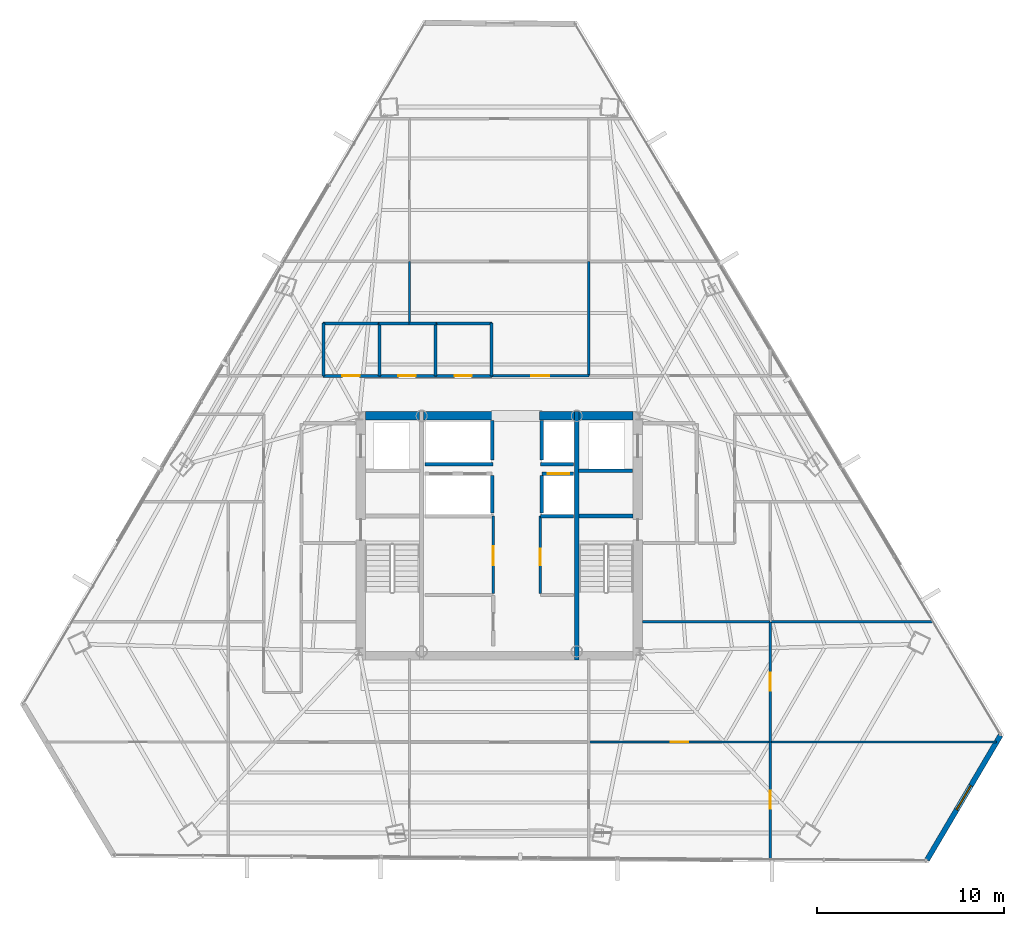
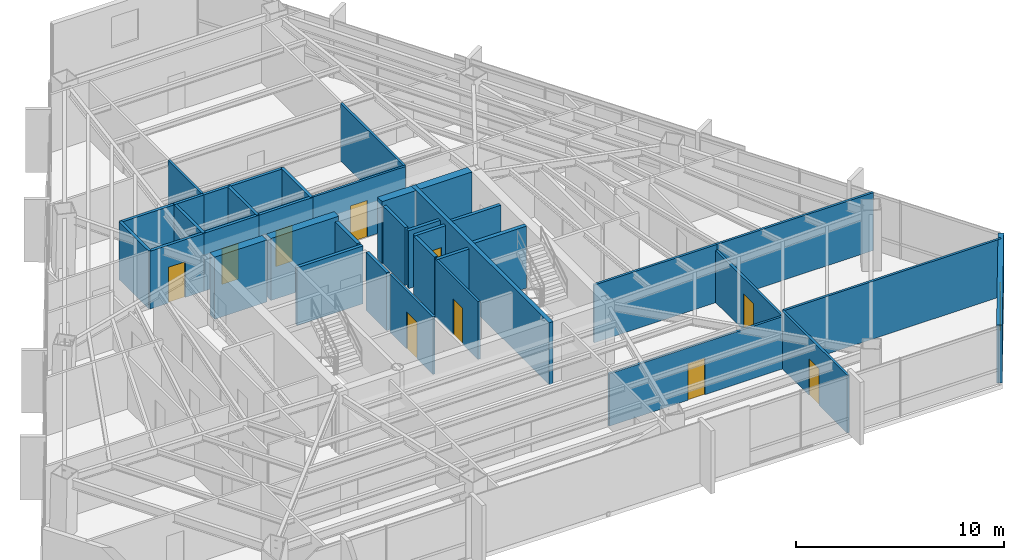
# One storey, part 36 of 41: 38 walls, 10 doors, 1 window, 11 openings.
"""IFC4 building model written with IfcOpenShell, lengths in metres."""

from ifc_helpers import new_model, si_unit, direction, frame, frame_2d, origin, place, context, subcontext, project, spatial, rectangle, extrude, material, layer, layer_set, type_object, element, fill, save


model = new_model("IFC4")

# Units and contexts
model_context = context("Model", 3, precision=1e-05, world=origin(), true_north=direction((0.0, 1.0)))
body_context = subcontext(model_context, "Body", "Model", "MODEL_VIEW")
ifc_project = project(units=[si_unit("LENGTHUNIT", "METRE"), si_unit("AREAUNIT", "SQUARE_METRE"), si_unit("VOLUMEUNIT", "CUBIC_METRE"), si_unit("PLANEANGLEUNIT", "RADIAN"), si_unit("MASSUNIT", "GRAM", prefix="KILO")], contexts=[model_context])

# Site, building, storey
site_placement = place(None, origin())
site = spatial("IfcSite", under=ifc_project, at=site_placement, CompositionType="ELEMENT")
building_placement = place(site_placement, origin())
building = spatial("IfcBuilding", under=site, at=building_placement, Name="Caelisora Broadcast Tower", CompositionType="ELEMENT")
storey_placement = place(building_placement, frame((0.0, 0.0, 169.449951171875)))
storey = spatial("IfcBuildingStorey", under=building, at=storey_placement, Name="L44", CompositionType="ELEMENT", Elevation=169.449951171875)

# Walls
ifc_material_1 = material(Name="Concrete 50 MPa (AS 3600 S50)", Category="concrete")
ifc_layer_1 = layer(ifc_material_1, 0.449951171875, Name="Concrete 50 MPa (AS 3600 S50)")
ifc_layer_set_1 = layer_set([ifc_layer_1], Name="Concrete 50 MPa (AS 3600 S50)")
wall_type_1 = type_object("IfcWallType", Name="CW5", PredefinedType="SHEAR", material=ifc_layer_set_1)
wall_1_placement = place(storey_placement, frame((30.840087890625, 30.0, 0.0), z_axis=(0.0, 0.0, 1.0), x_axis=(1.0, 0.0, 0.0)))
element("IfcWall", 1, at=wall_1_placement, inside=storey, type_object=wall_type_1, Name="L44 core shear wall CW5", PredefinedType="SHEAR", context=body_context, shape_type="SweptSolid", body=[
    extrude(rectangle(XDim=2.89990234375, YDim=0.449951171875, at=frame_2d((1.449951171875, 0.0))), origin(), (0.0, 0.0, 1.0), 3.650146484375),
])
wall_2_placement = place(storey_placement, frame((33.9599609375, 30.0, 0.0), z_axis=(0.0, 0.0, 1.0), x_axis=(1.0, 0.0, 0.0)))
element("IfcWall", 2, at=wall_2_placement, inside=storey, type_object=wall_type_1, Name="L44 core shear wall CW5", PredefinedType="SHEAR", context=body_context, shape_type="SweptSolid", body=[
    extrude(rectangle(XDim=3.780029296875, YDim=0.449951171875, at=frame_2d((1.89013671875, 0.0))), origin(), (0.0, 0.0, 1.0), 3.650146484375),
])
wall_3_placement = place(storey_placement, frame((40.159912109375, 30.0, 0.0), z_axis=(0.0, 0.0, 1.0), x_axis=(1.0, 0.0, 0.0)))
element("IfcWall", 3, at=wall_3_placement, inside=storey, type_object=wall_type_1, Name="L44 core shear wall CW5", PredefinedType="SHEAR", context=body_context, shape_type="SweptSolid", body=[
    extrude(rectangle(XDim=1.880126953125, YDim=0.449951171875, at=frame_2d((0.93994140625, 0.0))), origin(), (0.0, 0.0, 1.0), 3.650146484375),
])
wall_4_placement = place(storey_placement, frame((42.260009765625, 30.0, 0.0), z_axis=(0.0, 0.0, 1.0), x_axis=(1.0, 0.0, 0.0)))
element("IfcWall", 4, at=wall_4_placement, inside=storey, type_object=wall_type_1, Name="L44 core shear wall CW5", PredefinedType="SHEAR", context=body_context, shape_type="SweptSolid", body=[
    extrude(rectangle(XDim=2.89990234375, YDim=0.449951171875, at=frame_2d((1.449951171875, 0.0))), origin(), (0.0, 0.0, 1.0), 3.650146484375),
])
ifc_layer_2 = layer(ifc_material_1, 0.219970703125, Name="Concrete 50 MPa (AS 3600 S50)")
ifc_layer_set_2 = layer_set([ifc_layer_2], Name="Concrete 50 MPa (AS 3600 S50)")
wall_type_2 = type_object("IfcWallType", Name="CW7", PredefinedType="SHEAR", material=ifc_layer_set_2)
wall_5_placement = place(storey_placement, frame((42.14990234375, 16.949951171875, 0.0), z_axis=(0.0, 0.0, 1.0), x_axis=(0.0, 1.0, 0.0)))
element("IfcWall", 5, at=wall_5_placement, inside=storey, type_object=wall_type_2, Name="L44 core shear wall CW7", PredefinedType="SHEAR", context=body_context, shape_type="SweptSolid", body=[
    extrude(rectangle(XDim=13.275146484375, YDim=0.219970703125, at=frame_2d((6.6376953125, 0.0))), origin(), (0.0, 0.0, 1.0), 3.650146484375),
])
wall_6_placement = place(storey_placement, frame((42.260009765625, 24.639892578125, 0.0), z_axis=(0.0, 0.0, 1.0), x_axis=(1.0, 0.0, 0.0)))
element("IfcWall", 6, at=wall_6_placement, inside=storey, type_object=wall_type_2, Name="L44 core shear wall CW7", PredefinedType="SHEAR", context=body_context, shape_type="SweptSolid", body=[
    extrude(rectangle(XDim=2.89990234375, YDim=0.219970703125, at=frame_2d((1.449951171875, 0.0))), origin(), (0.0, 0.0, 1.0), 3.650146484375),
])

# Wall, opening, window
ifc_material_2 = material(Name="Insulated Terracotta Spandrel Wall System", Category="masonry")
ifc_layer_3 = layer(ifc_material_2, 0.280029296875, Name="Insulated Terracotta Spandrel Wall System")
ifc_layer_set_3 = layer_set([ifc_layer_3], Name="Insulated Terracotta Spandrel Wall System")
wall_type_3 = type_object("IfcWallType", Name="EW1", PredefinedType="STANDARD", material=ifc_layer_set_3)
wall_7_placement = place(storey_placement, frame((64.826904296875, 12.9052734375, 0.0), z_axis=(0.0, 0.0, 1.0), x_axis=(-0.508012632913, -0.861349618216, 0.0)))
wall_7 = element("IfcWall", 7, at=wall_7_placement, inside=storey, type_object=wall_type_3, Name="L44 exterior envelope wall EW1", PredefinedType="STANDARD", context=body_context, shape_type="SweptSolid", body=[
    extrude(rectangle(XDim=7.7373046875, YDim=0.280029296875, at=frame_2d((3.86865234375, 0.0))), origin(), (0.0, 0.0, 1.0), 3.400146484375),
])
opening_1_placement = place(wall_7_placement, frame((3.1201171875, 0.0, 0.89990234375)))
opening_1 = element("IfcOpeningElement", 8, at=opening_1_placement, cuts=wall_7, Name="Opening W02", PredefinedType="OPENING", context=body_context, shape_type="SweptSolid", body=[
    extrude(rectangle(XDim=1.5, YDim=1.800048828125, at=frame_2d((0.75, 0.89990234375))), frame((0.0, 0.152099609375, 0.0), z_axis=(0.0, -1.0, 0.0), x_axis=(1.0, 0.0, 0.0)), (0.0, 0.0, 1.0), 0.303955078125),
])
ifc_material_3 = material(Name="Double Glazed Terracotta-Framed Vision Window", Category="glass")
window_type = type_object("IfcWindowType", Name="W02", PartitioningType="SINGLE_PANEL", PredefinedType="WINDOW", material=ifc_material_3)
window_placement = place(opening_1_placement, origin())
window = element("IfcWindow", 9, at=window_placement, inside=storey, type_object=window_type, Name="L44 window W02 (L44-WN-CH0)", OverallHeight=1.800048828125, OverallWidth=1.5, PartitioningType="SINGLE_PANEL", PredefinedType="WINDOW", context=body_context, shape_type="SweptSolid", body=[
    extrude(rectangle(XDim=1.5, YDim=1.800048828125, at=frame_2d((0.75, 0.89990234375))), frame((0.0, 0.030029296875, 0.0), z_axis=(0.0, -1.0, 0.0), x_axis=(1.0, 0.0, 0.0)), (0.0, 0.0, 1.0), 0.06005859375),
])
fill(opening_1, window)

# Wall, opening, door
ifc_material_4 = material(Name="Fire-Rated Gypsum Shaft and Compartment Wall", Category="gypsum")
ifc_layer_4 = layer(ifc_material_4, 0.179931640625, Name="Fire-Rated Gypsum Shaft and Compartment Wall")
ifc_layer_set_4 = layer_set([ifc_layer_4], Name="Fire-Rated Gypsum Shaft and Compartment Wall")
wall_type_4 = type_object("IfcWallType", Name="PW2", PredefinedType="PARTITIONING", material=ifc_layer_set_4)
wall_8_placement = place(storey_placement, frame((40.280029296875, 26.89990234375, 0.0), z_axis=(0.0, 0.0, 1.0), x_axis=(1.0, 0.0, 0.0)))
wall_8 = element("IfcWall", 10, at=wall_8_placement, inside=storey, type_object=wall_type_4, Name="L44 fire compartment wall PW2", PredefinedType="PARTITIONING", context=body_context, shape_type="SweptSolid", body=[
    extrude(rectangle(XDim=1.699951171875, YDim=0.179931640625, at=frame_2d((0.85009765625, 0.0))), origin(), (0.0, 0.0, 1.0), 3.400146484375),
])
opening_2_placement = place(wall_8_placement, frame((0.320068359375, 0.0, 0.0)))
opening_2 = element("IfcOpeningElement", 11, at=opening_2_placement, cuts=wall_8, Name="Opening LD02", PredefinedType="OPENING", context=body_context, shape_type="SweptSolid", body=[
    extrude(rectangle(XDim=1.14990234375, YDim=2.199951171875, at=frame_2d((0.574951171875, 1.10009765625))), frame((0.0, 0.10205078125, 0.0), z_axis=(0.0, -1.0, 0.0), x_axis=(1.0, 0.0, 0.0)), (0.0, 0.0, 1.0), 0.203857421875),
])
ifc_material_5 = material(Name="High-Speed Express Lift Sliding Landing Door", Category="steel")
door_type_1 = type_object("IfcDoorType", Name="LD02", OperationType="NOTDEFINED", PredefinedType="DOOR", material=ifc_material_5)
door_1_placement = place(opening_2_placement, origin())
door_1 = element("IfcDoor", 12, at=door_1_placement, inside=storey, type_object=door_type_1, Name="L44 door LD02 (L44-LD-PLM3)", OperationType="SLIDING_TO_LEFT", OverallHeight=2.199951171875, OverallWidth=1.14990234375, PredefinedType="DOOR", context=body_context, shape_type="SweptSolid", body=[
    extrude(rectangle(XDim=1.14990234375, YDim=2.199951171875, at=frame_2d((0.574951171875, 1.10009765625))), frame((0.0, 0.02490234375, 0.0), z_axis=(0.0, -1.0, 0.0), x_axis=(1.0, 0.0, 0.0)), (0.0, 0.0, 1.0), 0.050048828125),
])
fill(opening_2, door_1)

# Walls
for number, where, z_axis, x_axis, name in (
    (13, (37.6201171875, 24.800048828125, 0.0), (0.0, 0.0, 1.0), (0.0, 1.0, 0.0), "L44 fire compartment wall PW2"),
    (14, (40.280029296875, 24.800048828125, 0.0), (0.0, 0.0, 1.0), (0.0, 1.0, 0.0), "L44 fire compartment wall PW2"),
):
    element("IfcWall", number, at=place(storey_placement, frame(where, z_axis=z_axis, x_axis=x_axis)), inside=storey, type_object=wall_type_4, Name=name, PredefinedType="PARTITIONING", context=body_context, shape_type="SweptSolid", body=[
        extrude(rectangle(XDim=2.0, YDim=0.179931640625, at=frame_2d((1.0, 0.0))), origin(), (0.0, 0.0, 1.0), 3.400146484375),
    ])
wall_9_placement = place(storey_placement, frame((40.199951171875, 24.639892578125, 0.0), z_axis=(0.0, 0.0, 1.0), x_axis=(1.0, 0.0, 0.0)))
element("IfcWall", 15, at=wall_9_placement, inside=storey, type_object=wall_type_4, Name="L44 fire compartment wall PW2", PredefinedType="PARTITIONING", context=body_context, shape_type="SweptSolid", body=[
    extrude(rectangle(XDim=1.780029296875, YDim=0.179931640625, at=frame_2d((0.89013671875, 0.0))), origin(), (0.0, 0.0, 1.0), 3.400146484375),
])
wall_10_placement = place(storey_placement, frame((34.02001953125, 27.419921875, 0.0), z_axis=(0.0, 0.0, 1.0), x_axis=(1.0, 0.0, 0.0)))
element("IfcWall", 16, at=wall_10_placement, inside=storey, type_object=wall_type_4, Name="L44 fire compartment wall PW2", PredefinedType="PARTITIONING", context=body_context, shape_type="SweptSolid", body=[
    extrude(rectangle(XDim=3.659912109375, YDim=0.179931640625, at=frame_2d((1.830078125, 0.0))), origin(), (0.0, 0.0, 1.0), 3.400146484375),
])
wall_11_placement = place(storey_placement, frame((40.219970703125, 27.419921875, 0.0), z_axis=(0.0, 0.0, 1.0), x_axis=(1.0, 0.0, 0.0)))
element("IfcWall", 17, at=wall_11_placement, inside=storey, type_object=wall_type_4, Name="L44 fire compartment wall PW2", PredefinedType="PARTITIONING", context=body_context, shape_type="SweptSolid", body=[
    extrude(rectangle(XDim=1.760009765625, YDim=0.179931640625, at=frame_2d((0.8798828125, 0.0))), origin(), (0.0, 0.0, 1.0), 3.400146484375),
])
for number, where, z_axis, x_axis, name in (
    (18, (37.6201171875, 27.639892578125, 0.0), (0.0, 0.0, 1.0), (0.0, 1.0, 0.0), "L44 fire compartment wall PW2"),
    (19, (40.280029296875, 27.639892578125, 0.0), (0.0, 0.0, 1.0), (0.0, 1.0, 0.0), "L44 fire compartment wall PW2"),
):
    element("IfcWall", number, at=place(storey_placement, frame(where, z_axis=z_axis, x_axis=x_axis)), inside=storey, type_object=wall_type_4, Name=name, PredefinedType="PARTITIONING", context=body_context, shape_type="SweptSolid", body=[
        extrude(rectangle(XDim=2.110107421875, YDim=0.179931640625, at=frame_2d((1.05517578125, 0.0))), origin(), (0.0, 0.0, 1.0), 3.400146484375),
    ])
wall_12_placement = place(storey_placement, frame((42.239990234375, 27.070068359375, 0.0), z_axis=(0.0, 0.0, 1.0), x_axis=(1.0, 0.0, 0.0)))
element("IfcWall", 20, at=wall_12_placement, inside=storey, type_object=wall_type_4, Name="L44 fire compartment wall PW2", PredefinedType="PARTITIONING", context=body_context, shape_type="SweptSolid", body=[
    extrude(rectangle(XDim=2.89990234375, YDim=0.179931640625, at=frame_2d((1.449951171875, 0.0))), origin(), (0.0, 0.0, 1.0), 3.400146484375),
])

# Wall, opening, door
ifc_material_6 = material(Name="Acoustic Steel-Stud Plasterboard Partition", Category="gypsum")
ifc_layer_5 = layer(ifc_material_6, 0.1298828125, Name="Acoustic Steel-Stud Plasterboard Partition")
ifc_layer_set_5 = layer_set([ifc_layer_5], Name="Acoustic Steel-Stud Plasterboard Partition")
wall_type_5 = type_object("IfcWallType", Name="PW3", PredefinedType="PARTITIONING", material=ifc_layer_set_5)
wall_13_placement = place(storey_placement, frame((37.679931640625, 20.5, 0.0), z_axis=(0.0, 0.0, 1.0), x_axis=(0.0, 1.0, 0.0)))
wall_13 = element("IfcWall", 21, at=wall_13_placement, inside=storey, type_object=wall_type_5, Name="L44 internal partition PW3", PredefinedType="PARTITIONING", context=body_context, shape_type="SweptSolid", body=[
    extrude(rectangle(XDim=4.139892578125, YDim=0.1298828125, at=frame_2d((2.06982421875, 0.0))), origin(), (0.0, 0.0, 1.0), 3.400146484375),
])
opening_3_placement = place(wall_13_placement, frame((1.5, 0.0, 0.0)))
opening_3 = element("IfcOpeningElement", 22, at=opening_3_placement, cuts=wall_13, Name="Opening D02", PredefinedType="OPENING", context=body_context, shape_type="SweptSolid", body=[
    extrude(rectangle(XDim=1.02001953125, YDim=2.14990234375, at=frame_2d((0.510009765625, 1.074951171875))), frame((0.0, 0.076904296875, 0.0), z_axis=(0.0, -1.0, 0.0), x_axis=(1.0, 0.0, 0.0)), (0.0, 0.0, 1.0), 0.15380859375),
])
ifc_material_7 = material(Name="Solid-Core Timber Archive Suite Door", Category="wood")
door_type_2 = type_object("IfcDoorType", Name="D02", OperationType="NOTDEFINED", PredefinedType="DOOR", material=ifc_material_7)
door_2_placement = place(opening_3_placement, origin())
door_2 = element("IfcDoor", 23, at=door_2_placement, inside=storey, type_object=door_type_2, Name="L44 door D02 (L44-DR-P11D1)", OperationType="SINGLE_SWING_RIGHT", OverallHeight=2.14990234375, OverallWidth=1.02001953125, PredefinedType="DOOR", context=body_context, shape_type="SweptSolid", body=[
    extrude(rectangle(XDim=1.02001953125, YDim=2.14990234375, at=frame_2d((0.510009765625, 1.074951171875))), frame((0.0, 0.02490234375, 0.0), z_axis=(0.0, -1.0, 0.0), x_axis=(1.0, 0.0, 0.0)), (0.0, 0.0, 1.0), 0.050048828125),
])
fill(opening_3, door_2)

wall_14_placement = place(storey_placement, frame((40.199951171875, 20.5, 0.0), z_axis=(0.0, 0.0, 1.0), x_axis=(0.0, 1.0, 0.0)))
wall_14 = element("IfcWall", 24, at=wall_14_placement, inside=storey, type_object=wall_type_5, Name="L44 internal partition PW3", PredefinedType="PARTITIONING", context=body_context, shape_type="SweptSolid", body=[
    extrude(rectangle(XDim=4.139892578125, YDim=0.1298828125, at=frame_2d((2.06982421875, 0.0))), origin(), (0.0, 0.0, 1.0), 3.400146484375),
])
opening_4_placement = place(wall_14_placement, frame((1.5, 0.0, 0.0)))
opening_4 = element("IfcOpeningElement", 25, at=opening_4_placement, cuts=wall_14, Name="Opening FD03", PredefinedType="OPENING", context=body_context, shape_type="SweptSolid", body=[
    extrude(rectangle(XDim=0.89990234375, YDim=2.10009765625, at=frame_2d((0.449951171875, 1.050048828125))), frame((0.0, 0.076904296875, 0.0), z_axis=(0.0, -1.0, 0.0), x_axis=(1.0, 0.0, 0.0)), (0.0, 0.0, 1.0), 0.15380859375),
])
ifc_material_8 = material(Name="Single-Leaf Steel Riser Fire Access Door", Category="steel")
door_type_3 = type_object("IfcDoorType", Name="FD03", OperationType="NOTDEFINED", PredefinedType="DOOR", material=ifc_material_8)
door_3_placement = place(opening_4_placement, origin())
door_3 = element("IfcDoor", 26, at=door_3_placement, inside=storey, type_object=door_type_3, Name="L44 door FD03 (L44-DR-P12D1)", OperationType="SINGLE_SWING_LEFT", OverallHeight=2.10009765625, OverallWidth=0.89990234375, PredefinedType="DOOR", context=body_context, shape_type="SweptSolid", body=[
    extrude(rectangle(XDim=0.89990234375, YDim=2.10009765625, at=frame_2d((0.449951171875, 1.050048828125))), frame((0.0, 0.02490234375, 0.0), z_axis=(0.0, -1.0, 0.0), x_axis=(1.0, 0.0, 0.0)), (0.0, 0.0, 1.0), 0.050048828125),
])
fill(opening_4, door_3)

# Wall
wall_15_placement = place(storey_placement, frame((52.5048828125, 12.550048828125, 0.0), z_axis=(0.0, 0.0, 1.0), x_axis=(1.0, 0.0, 0.0)))
element("IfcWall", 27, at=wall_15_placement, inside=storey, type_object=wall_type_5, Name="L44 internal partition PW3", PredefinedType="PARTITIONING", context=body_context, shape_type="SweptSolid", body=[
    extrude(rectangle(XDim=12.117431640625, YDim=0.1298828125, at=frame_2d((6.05859375, 0.0))), origin(), (0.0, 0.0, 1.0), 3.400146484375),
])

# Wall, opening, door
wall_16_placement = place(storey_placement, frame((42.804931640625, 12.550048828125, 0.0), z_axis=(0.0, 0.0, 1.0), x_axis=(1.0, 0.0, 0.0)))
wall_16 = element("IfcWall", 28, at=wall_16_placement, inside=storey, type_object=wall_type_5, Name="L44 internal partition PW3", PredefinedType="PARTITIONING", context=body_context, shape_type="SweptSolid", body=[
    extrude(rectangle(XDim=9.690185546875, YDim=0.1298828125, at=frame_2d((4.84521484375, 0.0))), origin(), (0.0, 0.0, 1.0), 3.077880859375),
])
opening_5_placement = place(wall_16_placement, frame((4.364990234375, 0.0, 0.0)))
opening_5 = element("IfcOpeningElement", 29, at=opening_5_placement, cuts=wall_16, Name="Opening D01", PredefinedType="OPENING", context=body_context, shape_type="SweptSolid", body=[
    extrude(rectangle(XDim=0.9599609375, YDim=2.14990234375, at=frame_2d((0.47998046875, 1.074951171875))), frame((0.0, 0.076904296875, 0.0), z_axis=(0.0, -1.0, 0.0), x_axis=(1.0, 0.0, 0.0)), (0.0, 0.0, 1.0), 0.15380859375),
])
ifc_material_9 = material(Name="Solid-Core Timber Acoustic Office Door", Category="wood")
door_type_4 = type_object("IfcDoorType", Name="D01", OperationType="NOTDEFINED", PredefinedType="DOOR", material=ifc_material_9)
door_4_placement = place(opening_5_placement, origin())
door_4 = element("IfcDoor", 30, at=door_4_placement, inside=storey, type_object=door_type_4, Name="L44 door D01 (L44-DR-P30D1)", OperationType="SINGLE_SWING_LEFT", OverallHeight=2.14990234375, OverallWidth=0.9599609375, PredefinedType="DOOR", context=body_context, shape_type="SweptSolid", body=[
    extrude(rectangle(XDim=0.9599609375, YDim=2.14990234375, at=frame_2d((0.47998046875, 1.074951171875))), frame((0.0, 0.02490234375, 0.0), z_axis=(0.0, -1.0, 0.0), x_axis=(1.0, 0.0, 0.0)), (0.0, 0.0, 1.0), 0.050048828125),
])
fill(opening_5, door_4)

# Walls
wall_17_placement = place(storey_placement, frame((52.5048828125, 18.97998046875, 0.0), z_axis=(0.0, 0.0, 1.0), x_axis=(1.0, 0.0, 0.0)))
element("IfcWall", 31, at=wall_17_placement, inside=storey, type_object=wall_type_5, Name="L44 internal partition PW3", PredefinedType="PARTITIONING", context=body_context, shape_type="SweptSolid", body=[
    extrude(rectangle(XDim=8.72119140625, YDim=0.1298828125, at=frame_2d((4.360595703125, 0.0))), origin(), (0.0, 0.0, 1.0), 3.400146484375),
])
wall_18_placement = place(storey_placement, frame((45.675048828125, 18.97998046875, 0.0), z_axis=(0.0, 0.0, 1.0), x_axis=(1.0, 0.0, 0.0)))
element("IfcWall", 32, at=wall_18_placement, inside=storey, type_object=wall_type_5, Name="L44 internal partition PW3", PredefinedType="PARTITIONING", context=body_context, shape_type="SweptSolid", body=[
    extrude(rectangle(XDim=6.820068359375, YDim=0.1298828125, at=frame_2d((3.41015625, 0.0))), origin(), (0.0, 0.0, 1.0), 3.400146484375),
])

# Wall, opening, door
wall_19_placement = place(storey_placement, frame((52.5, 12.554931640625, 0.0), z_axis=(0.0, 0.0, 1.0), x_axis=(0.0, 1.0, 0.0)))
wall_19 = element("IfcWall", 33, at=wall_19_placement, inside=storey, type_object=wall_type_5, Name="L44 internal partition PW3", PredefinedType="PARTITIONING", context=body_context, shape_type="SweptSolid", body=[
    extrude(rectangle(XDim=6.420166015625, YDim=0.1298828125, at=frame_2d((3.2099609375, 0.0))), origin(), (0.0, 0.0, 1.0), 3.077880859375),
])
opening_6_placement = place(wall_19_placement, frame((2.72998046875, 0.0, 0.0)))
opening_6 = element("IfcOpeningElement", 34, at=opening_6_placement, cuts=wall_19, Name="Opening D01", PredefinedType="OPENING", context=body_context, shape_type="SweptSolid", body=[
    extrude(rectangle(XDim=0.9599609375, YDim=2.14990234375, at=frame_2d((0.47998046875, 1.074951171875))), frame((0.0, 0.076904296875, 0.0), z_axis=(0.0, -1.0, 0.0), x_axis=(1.0, 0.0, 0.0)), (0.0, 0.0, 1.0), 0.15380859375),
])
door_5_placement = place(opening_6_placement, origin())
door_5 = element("IfcDoor", 35, at=door_5_placement, inside=storey, type_object=door_type_4, Name="L44 door D01 (L44-DR-P45D1)", OperationType="SINGLE_SWING_RIGHT", OverallHeight=2.14990234375, OverallWidth=0.9599609375, PredefinedType="DOOR", context=body_context, shape_type="SweptSolid", body=[
    extrude(rectangle(XDim=0.9599609375, YDim=2.14990234375, at=frame_2d((0.47998046875, 1.074951171875))), frame((0.0, 0.02490234375, 0.0), z_axis=(0.0, -1.0, 0.0), x_axis=(1.0, 0.0, 0.0)), (0.0, 0.0, 1.0), 0.050048828125),
])
fill(opening_6, door_5)

wall_20_placement = place(storey_placement, frame((52.5, 6.264892578125, 0.0), z_axis=(0.0, 0.0, 1.0), x_axis=(0.0, 1.0, 0.0)))
wall_20 = element("IfcWall", 36, at=wall_20_placement, inside=storey, type_object=wall_type_5, Name="L44 internal partition PW3", PredefinedType="PARTITIONING", context=body_context, shape_type="SweptSolid", body=[
    extrude(rectangle(XDim=6.280029296875, YDim=0.1298828125, at=frame_2d((3.14013671875, 0.0))), origin(), (0.0, 0.0, 1.0), 3.400146484375),
])
opening_7_placement = place(wall_20_placement, frame((2.7080078125, 0.0, 0.0)))
opening_7 = element("IfcOpeningElement", 37, at=opening_7_placement, cuts=wall_20, Name="Opening D01", PredefinedType="OPENING", context=body_context, shape_type="SweptSolid", body=[
    extrude(rectangle(XDim=0.9599609375, YDim=2.14990234375, at=frame_2d((0.47998046875, 1.074951171875))), frame((0.0, 0.076904296875, 0.0), z_axis=(0.0, -1.0, 0.0), x_axis=(1.0, 0.0, 0.0)), (0.0, 0.0, 1.0), 0.15380859375),
])
door_6_placement = place(opening_7_placement, origin())
door_6 = element("IfcDoor", 38, at=door_6_placement, inside=storey, type_object=door_type_4, Name="L44 door D01 (L44-DR-P47D1)", OperationType="SINGLE_SWING_RIGHT", OverallHeight=2.14990234375, OverallWidth=0.9599609375, PredefinedType="DOOR", context=body_context, shape_type="SweptSolid", body=[
    extrude(rectangle(XDim=0.9599609375, YDim=2.14990234375, at=frame_2d((0.47998046875, 1.074951171875))), frame((0.0, 0.02490234375, 0.0), z_axis=(0.0, -1.0, 0.0), x_axis=(1.0, 0.0, 0.0)), (0.0, 0.0, 1.0), 0.050048828125),
])
fill(opening_7, door_6)

# Wall
wall_21_placement = place(storey_placement, frame((42.800048828125, 32.155029296875, 0.0), z_axis=(0.0, 0.0, 1.0), x_axis=(0.0, 1.0, 0.0)))
element("IfcWall", 39, at=wall_21_placement, inside=storey, type_object=wall_type_5, Name="L44 internal partition PW3", PredefinedType="PARTITIONING", context=body_context, shape_type="SweptSolid", body=[
    extrude(rectangle(XDim=6.10986328125, YDim=0.1298828125, at=frame_2d((3.054931640625, 0.0))), origin(), (0.0, 0.0, 1.0), 3.400146484375),
])

# Wall, opening, door
wall_22_placement = place(storey_placement, frame((37.60498046875, 32.14990234375, 0.0), z_axis=(0.0, 0.0, 1.0), x_axis=(1.0, 0.0, 0.0)))
wall_22 = element("IfcWall", 40, at=wall_22_placement, inside=storey, type_object=wall_type_5, Name="L44 internal partition PW3", PredefinedType="PARTITIONING", context=body_context, shape_type="SweptSolid", body=[
    extrude(rectangle(XDim=5.18994140625, YDim=0.1298828125, at=frame_2d((2.594970703125, 0.0))), origin(), (0.0, 0.0, 1.0), 3.400146484375),
])
opening_8_placement = place(wall_22_placement, frame((2.114990234375, 0.0, 0.0)))
opening_8 = element("IfcOpeningElement", 41, at=opening_8_placement, cuts=wall_22, Name="Opening D01", PredefinedType="OPENING", context=body_context, shape_type="SweptSolid", body=[
    extrude(rectangle(XDim=0.9599609375, YDim=2.14990234375, at=frame_2d((0.47998046875, 1.074951171875))), frame((0.0, 0.076904296875, 0.0), z_axis=(0.0, -1.0, 0.0), x_axis=(1.0, 0.0, 0.0)), (0.0, 0.0, 1.0), 0.15380859375),
])
door_7_placement = place(opening_8_placement, origin())
door_7 = element("IfcDoor", 42, at=door_7_placement, inside=storey, type_object=door_type_4, Name="L44 door D01 (L44-DR-P52D1)", OperationType="SINGLE_SWING_LEFT", OverallHeight=2.14990234375, OverallWidth=0.9599609375, PredefinedType="DOOR", context=body_context, shape_type="SweptSolid", body=[
    extrude(rectangle(XDim=0.9599609375, YDim=2.14990234375, at=frame_2d((0.47998046875, 1.074951171875))), frame((0.0, 0.02490234375, 0.0), z_axis=(0.0, -1.0, 0.0), x_axis=(1.0, 0.0, 0.0)), (0.0, 0.0, 1.0), 0.050048828125),
])
fill(opening_8, door_7)

# Wall
wall_23_placement = place(storey_placement, frame((33.199951171875, 34.955078125, 0.0), z_axis=(0.0, 0.0, 1.0), x_axis=(0.0, 1.0, 0.0)))
element("IfcWall", 43, at=wall_23_placement, inside=storey, type_object=wall_type_5, Name="L44 internal partition PW3", PredefinedType="PARTITIONING", context=body_context, shape_type="SweptSolid", body=[
    extrude(rectangle(XDim=3.309814453125, YDim=0.1298828125, at=frame_2d((1.65478515625, 0.0))), origin(), (0.0, 0.0, 1.0), 3.400146484375),
])

# Wall, opening, door
ifc_material_10 = material(Name="Moisture-Resistant Wet Plumbing Service Wall", Category="gypsum")
ifc_layer_6 = layer(ifc_material_10, 0.159912109375, Name="Moisture-Resistant Wet Plumbing Service Wall")
ifc_layer_set_6 = layer_set([ifc_layer_6], Name="Moisture-Resistant Wet Plumbing Service Wall")
wall_type_6 = type_object("IfcWallType", Name="PW4", PredefinedType="PLUMBINGWALL", material=ifc_layer_set_6)
wall_24_placement = place(storey_placement, frame((28.574951171875, 32.14990234375, 0.0), z_axis=(0.0, 0.0, 1.0), x_axis=(1.0, 0.0, 0.0)))
wall_24 = element("IfcWall", 44, at=wall_24_placement, inside=storey, type_object=wall_type_6, Name="L44 wet plumbing wall PW4", PredefinedType="PLUMBINGWALL", context=body_context, shape_type="SweptSolid", body=[
    extrude(rectangle(XDim=3.050048828125, YDim=0.159912109375, at=frame_2d((1.52490234375, 0.0))), origin(), (0.0, 0.0, 1.0), 3.400146484375),
])
opening_9_placement = place(wall_24_placement, frame((1.034912109375, 0.0, 0.0)))
opening_9 = element("IfcOpeningElement", 45, at=opening_9_placement, cuts=wall_24, Name="Opening D03", PredefinedType="OPENING", context=body_context, shape_type="SweptSolid", body=[
    extrude(rectangle(XDim=0.919921875, YDim=2.10009765625, at=frame_2d((0.4599609375, 1.050048828125))), frame((0.0, 0.092041015625, 0.0), z_axis=(0.0, -1.0, 0.0), x_axis=(1.0, 0.0, 0.0)), (0.0, 0.0, 1.0), 0.183837890625),
])
ifc_material_11 = material(Name="Laminate Moisture-Resistant Amenity WC Door", Category="wood")
door_type_5 = type_object("IfcDoorType", Name="D03", OperationType="NOTDEFINED", PredefinedType="DOOR", material=ifc_material_11)
door_8_placement = place(opening_9_placement, origin())
door_8 = element("IfcDoor", 46, at=door_8_placement, inside=storey, type_object=door_type_5, Name="L44 door D03 (L44-DR-P14D1)", OperationType="SINGLE_SWING_LEFT", OverallHeight=2.10009765625, OverallWidth=0.919921875, PredefinedType="DOOR", context=body_context, shape_type="SweptSolid", body=[
    extrude(rectangle(XDim=0.919921875, YDim=2.10009765625, at=frame_2d((0.4599609375, 1.050048828125))), frame((0.0, 0.02490234375, 0.0), z_axis=(0.0, -1.0, 0.0), x_axis=(1.0, 0.0, 0.0)), (0.0, 0.0, 1.0), 0.050048828125),
])
fill(opening_9, door_8)

wall_25_placement = place(storey_placement, frame((31.574951171875, 32.14990234375, 0.0), z_axis=(0.0, 0.0, 1.0), x_axis=(1.0, 0.0, 0.0)))
wall_25 = element("IfcWall", 47, at=wall_25_placement, inside=storey, type_object=wall_type_6, Name="L44 wet plumbing wall PW4", PredefinedType="PLUMBINGWALL", context=body_context, shape_type="SweptSolid", body=[
    extrude(rectangle(XDim=3.050048828125, YDim=0.159912109375, at=frame_2d((1.52490234375, 0.0))), origin(), (0.0, 0.0, 1.0), 3.400146484375),
])
opening_10_placement = place(wall_25_placement, frame((1.034912109375, 0.0, 0.0)))
opening_10 = element("IfcOpeningElement", 48, at=opening_10_placement, cuts=wall_25, Name="Opening D03", PredefinedType="OPENING", context=body_context, shape_type="SweptSolid", body=[
    extrude(rectangle(XDim=0.919921875, YDim=2.10009765625, at=frame_2d((0.4599609375, 1.050048828125))), frame((0.0, 0.092041015625, 0.0), z_axis=(0.0, -1.0, 0.0), x_axis=(1.0, 0.0, 0.0)), (0.0, 0.0, 1.0), 0.183837890625),
])
door_9_placement = place(opening_10_placement, origin())
door_9 = element("IfcDoor", 49, at=door_9_placement, inside=storey, type_object=door_type_5, Name="L44 door D03 (L44-DR-P15D1)", OperationType="SINGLE_SWING_RIGHT", OverallHeight=2.10009765625, OverallWidth=0.919921875, PredefinedType="DOOR", context=body_context, shape_type="SweptSolid", body=[
    extrude(rectangle(XDim=0.919921875, YDim=2.10009765625, at=frame_2d((0.4599609375, 1.050048828125))), frame((0.0, 0.02490234375, 0.0), z_axis=(0.0, -1.0, 0.0), x_axis=(1.0, 0.0, 0.0)), (0.0, 0.0, 1.0), 0.050048828125),
])
fill(opening_10, door_9)

wall_26_placement = place(storey_placement, frame((34.574951171875, 32.14990234375, 0.0), z_axis=(0.0, 0.0, 1.0), x_axis=(1.0, 0.0, 0.0)))
wall_26 = element("IfcWall", 50, at=wall_26_placement, inside=storey, type_object=wall_type_6, Name="L44 wet plumbing wall PW4", PredefinedType="PLUMBINGWALL", context=body_context, shape_type="SweptSolid", body=[
    extrude(rectangle(XDim=3.050048828125, YDim=0.159912109375, at=frame_2d((1.52490234375, 0.0))), origin(), (0.0, 0.0, 1.0), 3.400146484375),
])
opening_11_placement = place(wall_26_placement, frame((1.034912109375, 0.0, 0.0)))
opening_11 = element("IfcOpeningElement", 51, at=opening_11_placement, cuts=wall_26, Name="Opening D03", PredefinedType="OPENING", context=body_context, shape_type="SweptSolid", body=[
    extrude(rectangle(XDim=0.919921875, YDim=2.10009765625, at=frame_2d((0.4599609375, 1.050048828125))), frame((0.0, 0.092041015625, 0.0), z_axis=(0.0, -1.0, 0.0), x_axis=(1.0, 0.0, 0.0)), (0.0, 0.0, 1.0), 0.183837890625),
])
door_10_placement = place(opening_11_placement, origin())
door_10 = element("IfcDoor", 52, at=door_10_placement, inside=storey, type_object=door_type_5, Name="L44 door D03 (L44-DR-P16D1)", OperationType="SINGLE_SWING_LEFT", OverallHeight=2.10009765625, OverallWidth=0.919921875, PredefinedType="DOOR", context=body_context, shape_type="SweptSolid", body=[
    extrude(rectangle(XDim=0.919921875, YDim=2.10009765625, at=frame_2d((0.4599609375, 1.050048828125))), frame((0.0, 0.02490234375, 0.0), z_axis=(0.0, -1.0, 0.0), x_axis=(1.0, 0.0, 0.0)), (0.0, 0.0, 1.0), 0.050048828125),
])
fill(opening_11, door_10)

# Walls
for number, where, z_axis, x_axis, name in (
    (53, (28.574951171875, 34.949951171875, 0.0), (0.0, 0.0, 1.0), (1.0, 0.0, 0.0), "L44 wet plumbing wall PW4"),
    (54, (37.625, 34.949951171875, 0.0), (0.0, 0.0, 1.0), (-1.0, 0.0, 0.0), "L44 wet plumbing wall PW4"),
):
    element("IfcWall", number, at=place(storey_placement, frame(where, z_axis=z_axis, x_axis=x_axis)), inside=storey, type_object=wall_type_6, Name=name, PredefinedType="PLUMBINGWALL", context=body_context, shape_type="SweptSolid", body=[
        extrude(rectangle(XDim=3.050048828125, YDim=0.159912109375, at=frame_2d((1.52490234375, 0.0))), origin(), (0.0, 0.0, 1.0), 3.400146484375),
    ])
for number, where, z_axis, x_axis, name in (
    (55, (31.60009765625, 32.125, 0.0), (0.0, 0.0, 1.0), (0.0, 1.0, 0.0), "L44 wet plumbing wall PW4"),
    (56, (28.60009765625, 32.125, 0.0), (0.0, 0.0, 1.0), (0.0, 1.0, 0.0), "L44 wet plumbing wall PW4"),
    (57, (34.60009765625, 32.125, 0.0), (0.0, 0.0, 1.0), (0.0, 1.0, 0.0), "L44 wet plumbing wall PW4"),
    (58, (37.60009765625, 32.125, 0.0), (0.0, 0.0, 1.0), (0.0, 1.0, 0.0), "L44 wet plumbing wall PW4"),
):
    element("IfcWall", number, at=place(storey_placement, frame(where, z_axis=z_axis, x_axis=x_axis)), inside=storey, type_object=wall_type_6, Name=name, PredefinedType="PLUMBINGWALL", context=body_context, shape_type="SweptSolid", body=[
        extrude(rectangle(XDim=2.85009765625, YDim=0.159912109375, at=frame_2d((1.425048828125, 0.0))), origin(), (0.0, 0.0, 1.0), 3.400146484375),
    ])
wall_27_placement = place(storey_placement, frame((31.574951171875, 34.949951171875, 0.0), z_axis=(0.0, 0.0, 1.0), x_axis=(1.0, 0.0, 0.0)))
element("IfcWall", 59, at=wall_27_placement, inside=storey, type_object=wall_type_6, Name="L44 wet plumbing wall PW4", PredefinedType="PLUMBINGWALL", context=body_context, shape_type="SweptSolid", body=[
    extrude(rectangle(XDim=1.650146484375, YDim=0.159912109375, at=frame_2d((0.8251953125, 0.0))), origin(), (0.0, 0.0, 1.0), 3.400146484375),
])
wall_28_placement = place(storey_placement, frame((33.175048828125, 34.949951171875, 0.0), z_axis=(0.0, 0.0, 1.0), x_axis=(1.0, 0.0, 0.0)))
element("IfcWall", 60, at=wall_28_placement, inside=storey, type_object=wall_type_6, Name="L44 wet plumbing wall PW4", PredefinedType="PLUMBINGWALL", context=body_context, shape_type="SweptSolid", body=[
    extrude(rectangle(XDim=1.449951171875, YDim=0.159912109375, at=frame_2d((0.72509765625, 0.0))), origin(), (0.0, 0.0, 1.0), 3.400146484375),
])

save(model, "model.ifc")
